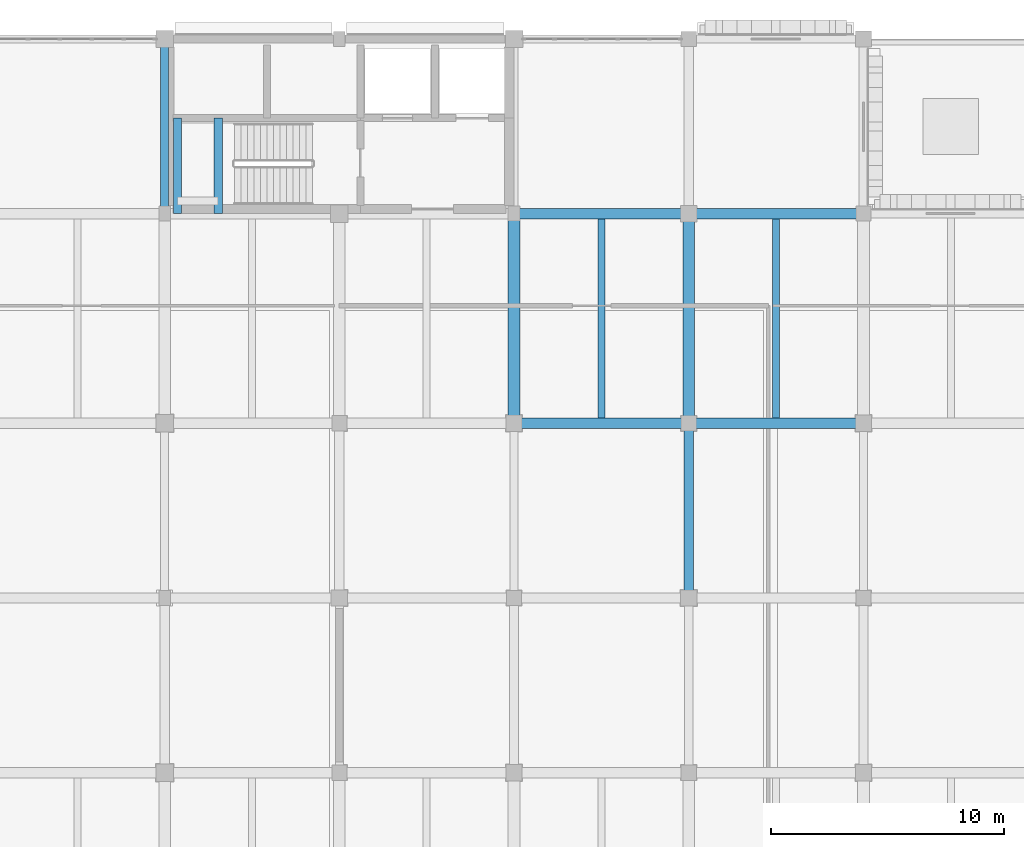
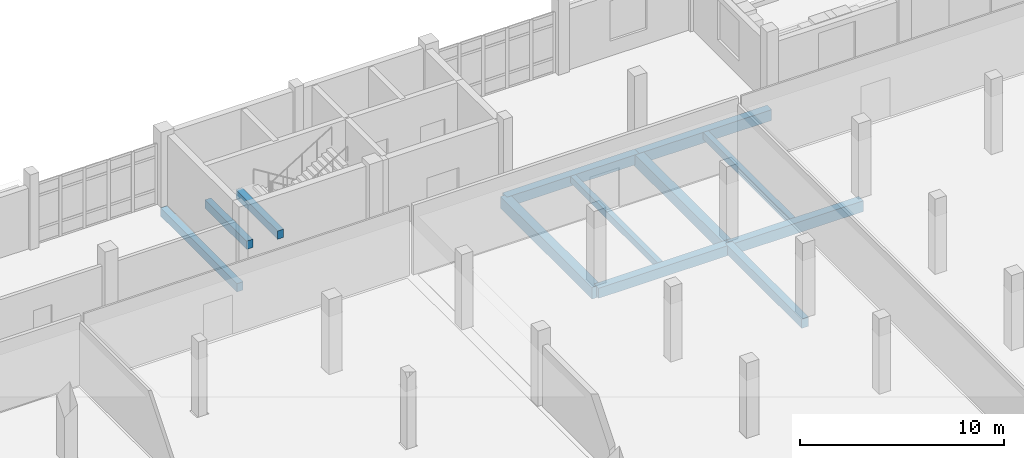
# One storey, part 55 of 128: 12 beams.
"""IFC4 building model written with IfcOpenShell, lengths in metres."""

from ifc_helpers import new_model, si_unit, direction, frame, origin, origin_2d, place, context, subcontext, project, spatial, rectangle, extrude, material, material_profile, profile_set, type_object, element, save


model = new_model("IFC4")

# Units and contexts
model_context = context("Model", 3, precision=1e-05, world=origin(), true_north=direction((0.0, 1.0)))
body_context = subcontext(model_context, "Body", "Model", "MODEL_VIEW")
ifc_project = project(units=[si_unit("LENGTHUNIT", "METRE"), si_unit("AREAUNIT", "SQUARE_METRE"), si_unit("VOLUMEUNIT", "CUBIC_METRE"), si_unit("PLANEANGLEUNIT", "RADIAN"), si_unit("MASSUNIT", "GRAM", prefix="KILO")], contexts=[model_context])

# Site, building, storey
site_placement = place(None, origin())
site = spatial("IfcSite", under=ifc_project, at=site_placement, CompositionType="ELEMENT")
building_placement = place(site_placement, origin())
building = spatial("IfcBuilding", under=site, at=building_placement, Name="Dalvernix Boulevard General Hospital", CompositionType="ELEMENT")
storey_placement = place(building_placement, frame((0.0, 0.0, 4.800048828125)))
storey = spatial("IfcBuildingStorey", under=building, at=storey_placement, Name="L01", CompositionType="ELEMENT", Elevation=4.800048828125)

# Beams
ifc_material = material(Name="Concrete C35/45", Category="concrete")
ifc_material_profile_1 = material_profile(ifc_material, rectangle(XDim=0.5, YDim=0.699951171875, at=origin_2d()), Name="RCB 500x700")
ifc_profile_set_1 = profile_set([ifc_material_profile_1], Name="Concrete C35/45")
beam_type_1 = type_object("IfcBeamType", Name="BM-B-01-I", PredefinedType="BEAM", material=ifc_profile_set_1)
for number, where, z_axis, x_axis, name in (
    (1, (112.5, 100.5, -0.650146484375), (0.0, 1.0, 0.0), (-1.0, 0.0, 0.0), "L01 N-S girder 16:P-Q"),
    (2, (120.0, 100.5, -0.650146484375), (0.0, 1.0, 0.0), (-1.0, 0.0, 0.0), "L01 N-S girder 17:P-Q"),
):
    element("IfcBeam", number, at=place(storey_placement, frame(where, z_axis=z_axis, x_axis=x_axis)), inside=storey, type_object=beam_type_1, Name=name, PredefinedType="BEAM", context=body_context, shape_type="SweptSolid", body=[
        extrude(rectangle(XDim=0.5, YDim=0.699951171875, at=origin_2d()), origin(), (0.0, 0.0, 1.0), 9.0),
    ])
ifc_material_profile_2 = material_profile(ifc_material, rectangle(XDim=0.449951171875, YDim=0.64990234375, at=origin_2d()), Name="RCB 450x650")
ifc_profile_set_2 = profile_set([ifc_material_profile_2], Name="Concrete C35/45")
beam_type_2 = type_object("IfcBeamType", Name="BM-B-03-I", PredefinedType="BEAM", material=ifc_profile_set_2)
for number, where, z_axis, x_axis, name in (
    (3, (120.0, 100.5, -0.625), (1.0, 0.0, 0.0), (0.0, 1.0, 0.0), "L01 E-W girder P:17-18"),
    (4, (120.0, 109.5, -0.625), (1.0, 0.0, 0.0), (0.0, 1.0, 0.0), "L01 E-W girder Q:17-18"),
):
    element("IfcBeam", number, at=place(storey_placement, frame(where, z_axis=z_axis, x_axis=x_axis)), inside=storey, type_object=beam_type_2, Name=name, PredefinedType="BEAM", context=body_context, shape_type="SweptSolid", body=[
        extrude(rectangle(XDim=0.449951171875, YDim=0.64990234375, at=origin_2d()), origin(), (0.0, 0.0, 1.0), 7.5),
    ])
ifc_material_profile_3 = material_profile(ifc_material, rectangle(XDim=0.449951171875, YDim=0.60009765625, at=origin_2d()), Name="RCB 450x600")
ifc_profile_set_3 = profile_set([ifc_material_profile_3], Name="Concrete C35/45")
beam_type_3 = type_object("IfcBeamType", Name="BM-B-04-I", PredefinedType="BEAM", material=ifc_profile_set_3)
for number, where, z_axis, x_axis, name in (
    (5, (112.5, 100.5, -0.60009765625), (1.0, 0.0, 0.0), (0.0, 1.0, 0.0), "L01 E-W girder P:16-17"),
    (6, (112.5, 109.5, -0.60009765625), (1.0, 0.0, 0.0), (0.0, 1.0, 0.0), "L01 E-W girder Q:16-17"),
):
    element("IfcBeam", number, at=place(storey_placement, frame(where, z_axis=z_axis, x_axis=x_axis)), inside=storey, type_object=beam_type_3, Name=name, PredefinedType="BEAM", context=body_context, shape_type="SweptSolid", body=[
        extrude(rectangle(XDim=0.449951171875, YDim=0.60009765625, at=origin_2d()), origin(), (0.0, 0.0, 1.0), 7.5),
    ])
ifc_material_profile_4 = material_profile(ifc_material, rectangle(XDim=0.39990234375, YDim=0.550048828125, at=origin_2d()), Name="RCB 400x550")
ifc_profile_set_4 = profile_set([ifc_material_profile_4], Name="Concrete C35/45")
beam_type_4 = type_object("IfcBeamType", Name="BM-B-06-I", PredefinedType="BEAM", material=ifc_profile_set_4)
beam_1_placement = place(storey_placement, frame((120.0, 93.0, -0.574951171875), z_axis=(0.0, 1.0, 0.0), x_axis=(-1.0, 0.0, 0.0)))
element("IfcBeam", 7, at=beam_1_placement, inside=storey, type_object=beam_type_4, Name="L01 N-S girder 17:N-P", PredefinedType="BEAM", context=body_context, shape_type="SweptSolid", body=[
    extrude(rectangle(XDim=0.39990234375, YDim=0.550048828125, at=origin_2d()), origin(), (0.0, 0.0, 1.0), 7.5),
])
ifc_material_profile_5 = material_profile(ifc_material, rectangle(XDim=0.35009765625, YDim=0.5, at=origin_2d()), Name="RCB 350x500")
ifc_profile_set_5 = profile_set([ifc_material_profile_5], Name="Concrete C35/45")
beam_type_5 = type_object("IfcBeamType", Name="BM-B-08", PredefinedType="BEAM", material=ifc_profile_set_5)
for number, where, z_axis, x_axis, name in (
    (8, (98.050048828125, 109.5, 1.800048828125), (0.0, 1.0, 0.0), (-1.0, 0.0, 0.0), "L01 C4 stair half-landing beam 1"),
    (9, (99.800048828125, 109.5, 1.800048828125), (0.0, 1.0, 0.0), (-1.0, 0.0, 0.0), "L01 C4 stair half-landing beam 2"),
):
    element("IfcBeam", number, at=place(storey_placement, frame(where, z_axis=z_axis, x_axis=x_axis)), inside=storey, type_object=beam_type_5, Name=name, PredefinedType="BEAM", context=body_context, shape_type="SweptSolid", body=[
        extrude(rectangle(XDim=0.35009765625, YDim=0.5, at=origin_2d()), origin(), (0.0, 0.0, 1.0), 4.10009765625),
    ])
ifc_material_profile_6 = material_profile(ifc_material, rectangle(XDim=0.35009765625, YDim=0.5, at=origin_2d()), Name="RCB 350x500")
ifc_profile_set_6 = profile_set([ifc_material_profile_6], Name="Concrete C35/45")
beam_type_6 = type_object("IfcBeamType", Name="BM-B-08-I", PredefinedType="BEAM", material=ifc_profile_set_6)
beam_2_placement = place(storey_placement, frame((97.5, 109.5, -0.550048828125), z_axis=(0.0, 1.0, 0.0), x_axis=(-1.0, 0.0, 0.0)))
element("IfcBeam", 10, at=beam_2_placement, inside=storey, type_object=beam_type_6, Name="L01 N-S girder 14:Q-R", PredefinedType="BEAM", context=body_context, shape_type="SweptSolid", body=[
    extrude(rectangle(XDim=0.35009765625, YDim=0.5, at=origin_2d()), origin(), (0.0, 0.0, 1.0), 7.5),
])
ifc_material_profile_7 = material_profile(ifc_material, rectangle(XDim=0.300048828125, YDim=0.39990234375, at=origin_2d()), Name="RCB 300x400")
ifc_profile_set_7 = profile_set([ifc_material_profile_7], Name="Concrete C35/45")
beam_type_7 = type_object("IfcBeamType", Name="BM-JB-01", PredefinedType="JOIST", material=ifc_profile_set_7)
for number, where, z_axis, x_axis, name in (
    (11, (116.25, 100.72509765625, -0.5), (0.0, 1.0, 0.0), (-1.0, 0.0, 0.0), "L01 secondary floor beam 16-P"),
    (12, (123.75, 100.72509765625, -0.5), (0.0, 1.0, 0.0), (-1.0, 0.0, 0.0), "L01 secondary floor beam 17-P"),
):
    element("IfcBeam", number, at=place(storey_placement, frame(where, z_axis=z_axis, x_axis=x_axis)), inside=storey, type_object=beam_type_7, Name=name, PredefinedType="JOIST", context=body_context, shape_type="SweptSolid", body=[
        extrude(rectangle(XDim=0.300048828125, YDim=0.39990234375, at=origin_2d()), origin(), (0.0, 0.0, 1.0), 8.5498046875),
    ])

save(model, "model.ifc")
